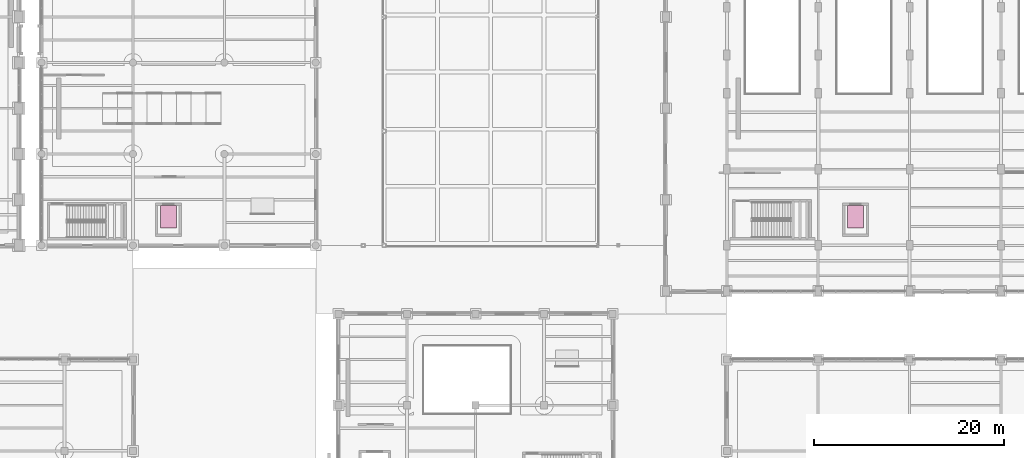
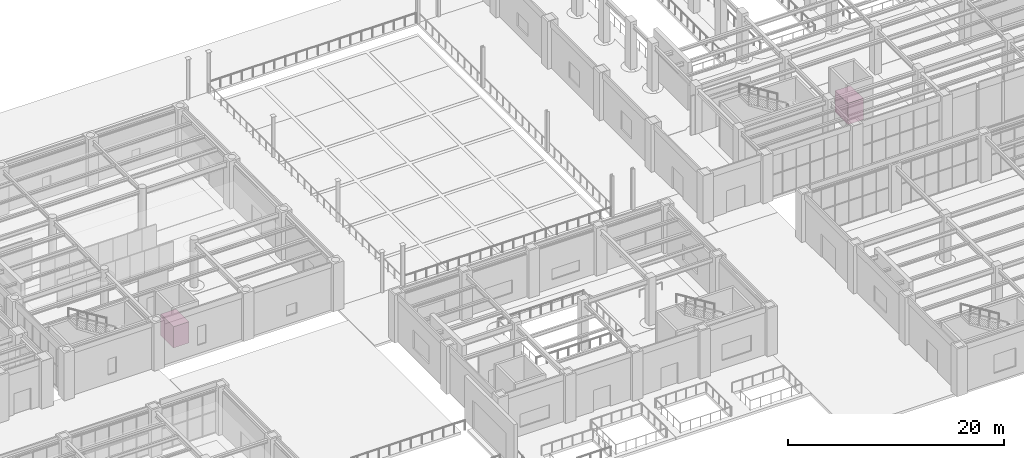
# One storey, part 164 of 164: 2 transport elements.
"""IFC4 building model written with IfcOpenShell, lengths in metres."""

from ifc_helpers import new_model, si_unit, direction, frame, origin, origin_2d, place, context, subcontext, project, spatial, rectangle, extrude, material, type_object, element, save


model = new_model("IFC4")

# Units and contexts
model_context = context("Model", 3, precision=1e-05, world=origin(), true_north=direction((0.0, 1.0)))
body_context = subcontext(model_context, "Body", "Model", "MODEL_VIEW")
ifc_project = project(units=[si_unit("LENGTHUNIT", "METRE"), si_unit("AREAUNIT", "SQUARE_METRE"), si_unit("VOLUMEUNIT", "CUBIC_METRE"), si_unit("PLANEANGLEUNIT", "RADIAN"), si_unit("MASSUNIT", "GRAM", prefix="KILO")], contexts=[model_context])

# Site, building, storey
site_placement = place(None, origin())
site = spatial("IfcSite", under=ifc_project, at=site_placement, CompositionType="ELEMENT")
building_placement = place(site_placement, origin())
building = spatial("IfcBuilding", under=site, at=building_placement, Name="Mavantir Sound Aquarium", CompositionType="ELEMENT")
storey_placement = place(building_placement, origin())
storey = spatial("IfcBuildingStorey", under=building, at=storey_placement, Name="L00", CompositionType="ELEMENT", Elevation=0.0)

# Transport elements
ifc_material = material(Name="Anodised Aluminium and Glass Passenger Lift Car", Category="aluminium")
transport_element_type = type_object("IfcTransportElementType", Name="LFT-PAX-1600", PredefinedType="ELEVATOR", material=ifc_material)
for number, where, z_axis, x_axis, name in (
    (1, (121.52490234375, 43.800048828125, 0.0), (0.0, 0.0, 1.0), (1.0, 0.0, 0.0), "Lift LC4 car"),
    (2, (49.324951171875, 43.800048828125, 0.0), (0.0, 0.0, 1.0), (1.0, 0.0, 0.0), "Lift LC5 car"),
):
    element("IfcTransportElement", number, at=place(storey_placement, frame(where, z_axis=z_axis, x_axis=x_axis)), inside=storey, type_object=transport_element_type, Name=name, PredefinedType="ELEVATOR", context=body_context, shape_type="SweptSolid", body=[
        extrude(rectangle(XDim=1.64990234375, YDim=2.39990234375, at=origin_2d()), origin(), (0.0, 0.0, 1.0), 2.39990234375),
    ])

save(model, "model.ifc")
